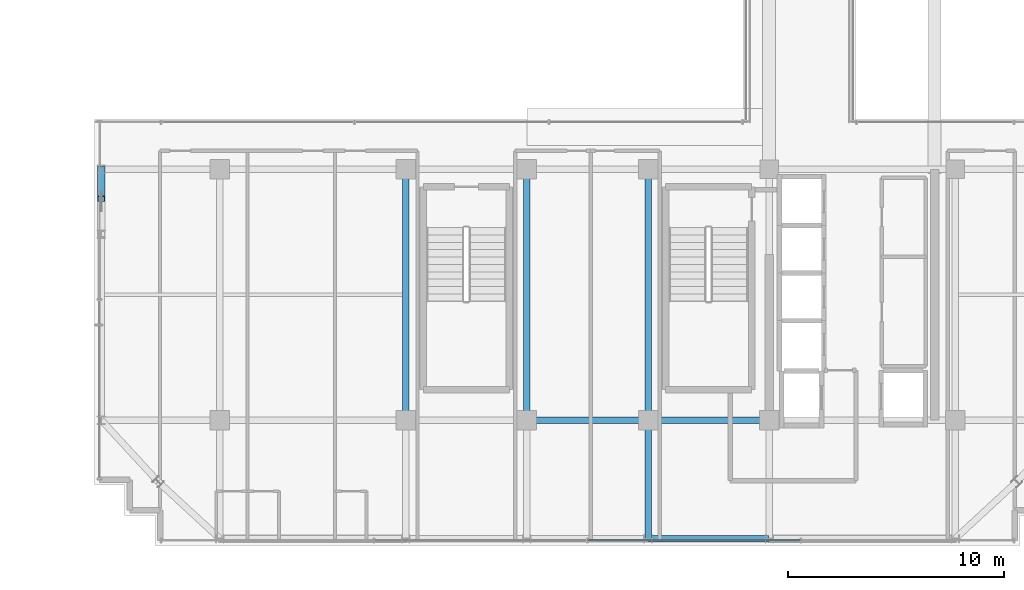
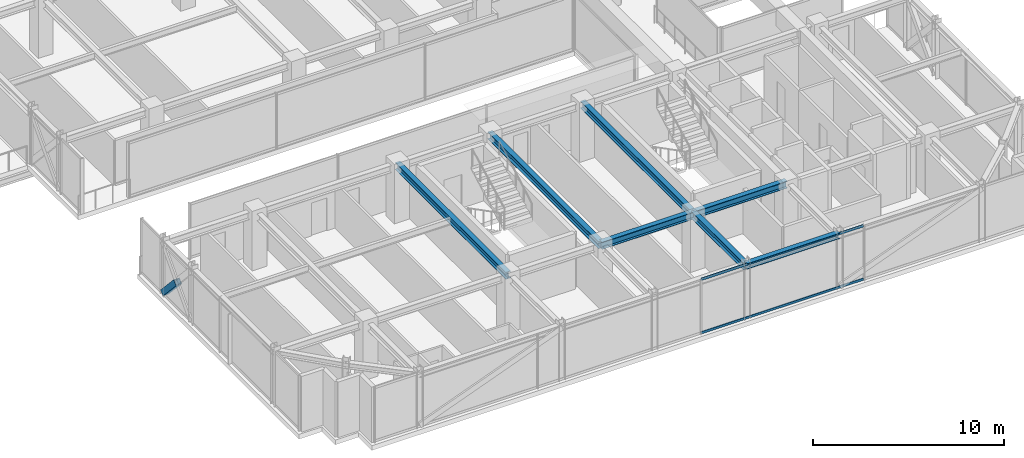
# One storey, part 9 of 41: 7 beams, 3 members, 1 element without a shape of its own.
"""IFC4 building model written with IfcOpenShell, lengths in metres."""

from ifc_helpers import new_model, si_unit, direction, frame, origin, origin_2d, place, context, subcontext, project, spatial, hollow_rectangle, i_section, extrude, source, transform, mapped, material, material_profile, profile_set, type_object, element, aggregate, save


model = new_model("IFC4")

# Units and contexts
model_context = context("Model", 3, precision=1e-05, world=origin(), true_north=direction((0.0, 1.0)))
body_context = subcontext(model_context, "Body", "Model", "MODEL_VIEW")
ifc_project = project(units=[si_unit("LENGTHUNIT", "METRE"), si_unit("AREAUNIT", "SQUARE_METRE"), si_unit("VOLUMEUNIT", "CUBIC_METRE"), si_unit("PLANEANGLEUNIT", "RADIAN"), si_unit("MASSUNIT", "GRAM", prefix="KILO")], contexts=[model_context])

# Site, building, storey
site_placement = place(None, origin())
site = spatial("IfcSite", under=ifc_project, at=site_placement, CompositionType="ELEMENT")
building_placement = place(site_placement, origin())
building = spatial("IfcBuilding", under=site, at=building_placement, Name="Nahalor Promenade Grand Hotel", CompositionType="ELEMENT")
storey_placement = place(building_placement, frame((0.0, 0.0, 304.199951171875)))
storey = spatial("IfcBuildingStorey", under=building, at=storey_placement, Name="L78", CompositionType="ELEMENT", Elevation=304.199951171875)

# Beams
ifc_material_1 = material(Name="Steel S355JR", Category="steel")
ifc_material_profile_1 = material_profile(ifc_material_1, i_section(OverallWidth=0.3, OverallDepth=0.45, WebThickness=0.014, FlangeThickness=0.026, at=origin_2d()), Name="HEB 450")
ifc_profile_set_1 = profile_set([ifc_material_profile_1], Name="Steel S355JR")
beam_type_1 = type_object("IfcBeamType", Name="Beam-Girder-HEB450", PredefinedType="BEAM", material=ifc_profile_set_1)
shared_shape_1 = source(origin(), body_context, "Body", "SweptSolid", [
    extrude(i_section(OverallWidth=0.3, OverallDepth=0.45, WebThickness=0.014, FlangeThickness=0.026, at=origin_2d()), origin(), (0.0, 0.0, 1.0), 5.599853515625),
])
beam_1_placement = place(storey_placement, frame((2.800048828125, -17.0, 3.324951171875), z_axis=(1.0, 0.0, 0.0), x_axis=(0.0, 1.0, 0.0)))
element("IfcBeam", 1, at=beam_1_placement, inside=storey, type_object=beam_type_1, Name="BM-L78-GX-0-4", PredefinedType="BEAM", context=body_context, shape_type="MappedRepresentation", body=[
    mapped(shared_shape_1, transform((0.0, 0.0, 0.0), scale=1.0)),
])
shared_shape_2 = source(origin(), body_context, "Body", "SweptSolid", [
    extrude(i_section(OverallWidth=0.3, OverallDepth=0.45, WebThickness=0.014, FlangeThickness=0.026, at=origin_2d()), origin(), (0.0, 0.0, 1.0), 5.60009765625),
])
beam_2_placement = place(storey_placement, frame((-2.800048828125, -17.0, 3.324951171875), z_axis=(1.0, 0.0, 0.0), x_axis=(0.0, 1.0, 0.0)))
element("IfcBeam", 2, at=beam_2_placement, inside=storey, type_object=beam_type_1, Name="BM-L78-GX-0-3", PredefinedType="BEAM", context=body_context, shape_type="MappedRepresentation", body=[
    mapped(shared_shape_2, transform((0.0, 0.0, 0.0), scale=1.0)),
])
shared_shape_3 = source(origin(), body_context, "Body", "SweptSolid", [
    extrude(i_section(OverallWidth=0.3, OverallDepth=0.45, WebThickness=0.014, FlangeThickness=0.026, at=origin_2d()), origin(), (0.0, 0.0, 1.0), 11.60009765625),
])
for number, where, z_axis, x_axis, name in (
    (3, (-8.39990234375, -17.0, 3.324951171875), (0.0, 1.0, 0.0), (-1.0, 0.0, 0.0), "BM-L78-GY-1-1"),
    (4, (-2.800048828125, -17.0, 3.324951171875), (0.0, 1.0, 0.0), (-1.0, 0.0, 0.0), "BM-L78-GY-2-1"),
    (5, (2.800048828125, -17.0, 3.324951171875), (0.0, 1.0, 0.0), (-1.0, 0.0, 0.0), "BM-L78-GY-3-1"),
):
    element("IfcBeam", number, at=place(storey_placement, frame(where, z_axis=z_axis, x_axis=x_axis)), inside=storey, type_object=beam_type_1, Name=name, PredefinedType="BEAM", context=body_context, shape_type="MappedRepresentation", body=[
        mapped(shared_shape_3, transform((0.0, 0.0, 0.0), scale=1.0)),
    ])
shared_shape_4 = source(origin(), body_context, "Body", "SweptSolid", [
    extrude(i_section(OverallWidth=0.3, OverallDepth=0.45, WebThickness=0.014, FlangeThickness=0.026, at=origin_2d()), origin(), (0.0, 0.0, 1.0), 5.47998046875),
])
beam_3_placement = place(storey_placement, frame((2.800048828125, -22.47998046875, 3.324951171875), z_axis=(0.0, 1.0, 0.0), x_axis=(-1.0, 0.0, 0.0)))
element("IfcBeam", 6, at=beam_3_placement, inside=storey, type_object=beam_type_1, Name="BM-L78-GY-3-0", PredefinedType="BEAM", context=body_context, shape_type="MappedRepresentation", body=[
    mapped(shared_shape_4, transform((0.0, 0.0, 0.0), scale=1.0)),
])
ifc_material_profile_2 = material_profile(ifc_material_1, i_section(OverallWidth=0.3, OverallDepth=0.36, WebThickness=0.0125, FlangeThickness=0.0225, at=origin_2d()), Name="HEB 360")
ifc_profile_set_2 = profile_set([ifc_material_profile_2], Name="Steel S355JR")
beam_type_2 = type_object("IfcBeamType", Name="Beam-Spandrel-HEB360", PredefinedType="SPANDREL", material=ifc_profile_set_2)
shared_shape_5 = source(origin(), body_context, "Body", "SweptSolid", [
    extrude(i_section(OverallWidth=0.3, OverallDepth=0.36, WebThickness=0.0125, FlangeThickness=0.0225, at=origin_2d()), origin(), (0.0, 0.0, 1.0), 5.599853515625),
])
beam_4_placement = place(storey_placement, frame((2.800048828125, -22.47998046875, 3.3701171875), z_axis=(1.0, 0.0, 0.0), x_axis=(0.0, 1.0, 0.0)))
element("IfcBeam", 7, at=beam_4_placement, inside=storey, type_object=beam_type_2, Name="BM-L78-SP-S-3", PredefinedType="SPANDREL", context=body_context, shape_type="MappedRepresentation", body=[
    mapped(shared_shape_5, transform((0.0, 0.0, 0.0), scale=1.0)),
])

# Member
ifc_material_profile_3 = material_profile(ifc_material_1, hollow_rectangle(XDim=0.35, YDim=0.35, WallThickness=0.02, at=origin_2d()), Name="SHS 350x350x20")
ifc_profile_set_3 = profile_set([ifc_material_profile_3], Name="Steel S355JR")
member_type_1 = type_object("IfcMemberType", Name="Mem-VoidBrace-SHS350", PredefinedType="BRACE", material=ifc_profile_set_3)
shared_shape_6 = source(origin(), body_context, "Body", "SweptSolid", [
    extrude(hollow_rectangle(XDim=0.35, YDim=0.35, WallThickness=0.02, at=origin_2d()), origin(), (0.0, 0.0, 1.0), 2.02392578125),
])
member_1_placement = place(storey_placement, frame((-22.47998046875, -5.39990234375, 0.150146484375), z_axis=(0.0, -0.678315173958, 0.734771069639), x_axis=(1.0, 0.0, 0.0)))
element("IfcMember", 8, at=member_1_placement, inside=storey, type_object=member_type_1, Name="EXO-L78-VX2-W0A", PredefinedType="BRACE", context=body_context, shape_type="MappedRepresentation", body=[
    mapped(shared_shape_6, transform((0.0, 0.0, 0.0), scale=1.0)),
])

# Curtain wall, members
ifc_material_2 = material(Name="Anodised Bronze Aluminium EN AW-6063 T6", Category="aluminium")
curtain_wall_type = type_object("IfcCurtainWallType", Name="CW3 Elliptical-Void Collar Unitised Curtain Wall", PredefinedType="USERDEFINED", material=ifc_material_2)
curtain_wall_placement = place(storey_placement, origin())
curtain_wall = element("IfcCurtainWall", 9, at=curtain_wall_placement, inside=storey, type_object=curtain_wall_type, Name="L78 Curtain Wall CW-L78-S-1", ObjectType="UNITISED_CURTAIN_WALL", PredefinedType="USERDEFINED")
ifc_material_profile_4 = material_profile(ifc_material_2, hollow_rectangle(XDim=0.07, YDim=0.14, WallThickness=0.004, at=origin_2d()), Name="CWT 70x140x4")
ifc_profile_set_4 = profile_set([ifc_material_profile_4], Name="Anodised Bronze Aluminium EN AW-6063 T6")
member_type_2 = type_object("IfcMemberType", Name="CWT3 Void Collar Transom 70x140", PredefinedType="USERDEFINED", material=ifc_profile_set_4)
shared_shape_7 = source(origin(), body_context, "Body", "SweptSolid", [
    extrude(hollow_rectangle(XDim=0.07, YDim=0.14, WallThickness=0.004, at=origin_2d()), origin(), (0.0, 0.0, 1.0), 9.81005859375),
])
member_2_placement = place(storey_placement, frame((0.034912109375, -22.56005859375, 0.070068359375), z_axis=(1.0, 0.0, 0.0), x_axis=(0.0, 1.0, 0.0)))
member_2 = element("IfcMember", 10, at=member_2_placement, type_object=member_type_2, Name="CW-L78-S-1 Transom 2-0", ObjectType="TRANSOM", PredefinedType="USERDEFINED", context=body_context, shape_type="MappedRepresentation", body=[
    mapped(shared_shape_7, transform((0.0, 0.0, 0.0), scale=1.0)),
])
member_3_placement = place(storey_placement, frame((0.034912109375, -22.56005859375, 3.47998046875), z_axis=(1.0, 0.0, 0.0), x_axis=(0.0, 1.0, 0.0)))
member_3 = element("IfcMember", 11, at=member_3_placement, type_object=member_type_2, Name="CW-L78-S-1 Transom 2-1", ObjectType="TRANSOM", PredefinedType="USERDEFINED", context=body_context, shape_type="MappedRepresentation", body=[
    mapped(shared_shape_7, transform((0.0, 0.0, 0.0), scale=1.0)),
])
aggregate(curtain_wall, [member_2, member_3])

save(model, "model.ifc")
